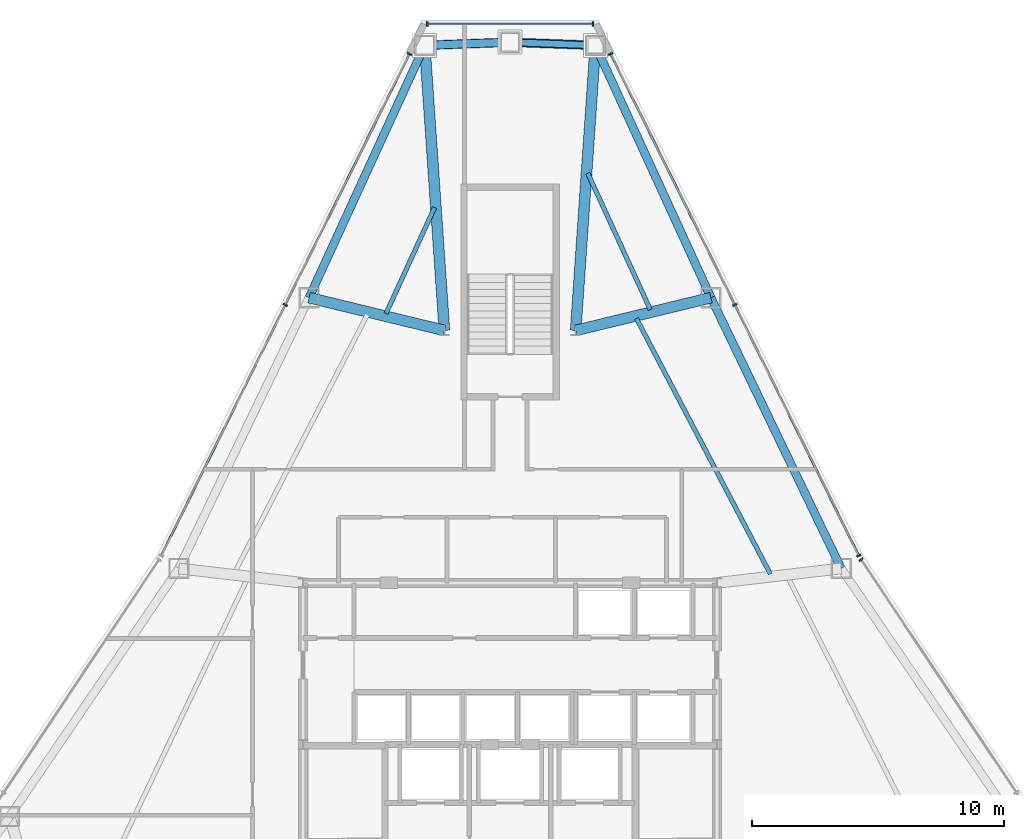
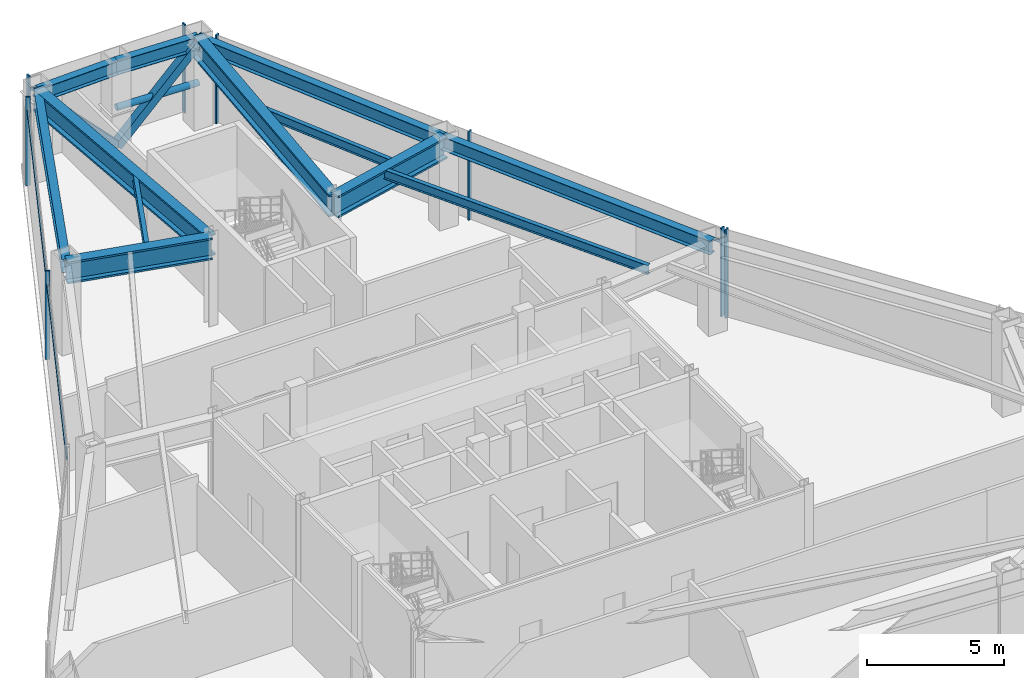
# One storey, part 8 of 13: 14 members, 12 beams, 4 elements without a shape of their own.
"""IFC4 building model written with IfcOpenShell, lengths in metres."""

from ifc_helpers import new_model, si_unit, direction, frame, origin, origin_2d, place, context, subcontext, project, spatial, rectangle, hollow_rectangle, hollow_circle, i_section, extrude, source, transform, mapped, material, layer, layer_set, material_profile, profile_set, type_object, type_shapes, element, aggregate, save


model = new_model("IFC4")

# Units and contexts
model_context = context("Model", 3, precision=1e-05, world=origin(), true_north=direction((0.0, 1.0)))
body_context = subcontext(model_context, "Body", "Model", "MODEL_VIEW")
ifc_project = project(units=[si_unit("LENGTHUNIT", "METRE"), si_unit("AREAUNIT", "SQUARE_METRE"), si_unit("VOLUMEUNIT", "CUBIC_METRE"), si_unit("PLANEANGLEUNIT", "RADIAN"), si_unit("MASSUNIT", "GRAM", prefix="KILO")], contexts=[model_context])

# Site, building, storey
site_placement = place(None, origin())
site = spatial("IfcSite", under=ifc_project, at=site_placement, CompositionType="ELEMENT")
building_placement = place(site_placement, origin())
building = spatial("IfcBuilding", under=site, at=building_placement, Name="Varakhsha Concourse Tower", CompositionType="ELEMENT")
storey_placement = place(building_placement, frame((0.0, 0.0, 200.699951171875)))
storey = spatial("IfcBuildingStorey", under=building, at=storey_placement, Name="L57", CompositionType="ELEMENT", Elevation=200.699951171875)

# Beams
ifc_material_1 = material(Name="Structural Steel ASTM A992 Grade 50", Category="steel")
ifc_material_profile_1 = material_profile(ifc_material_1, i_section(OverallWidth=0.177978515625, OverallDepth=0.406982421875, WebThickness=0.008056640625, FlangeThickness=0.012939453125, at=origin_2d()), Name="W16X40")
ifc_profile_set_1 = profile_set([ifc_material_profile_1], Name="Structural Steel ASTM A992 Grade 50")
beam_type_1 = type_object("IfcBeamType", Name="BM-JST-W16X40", PredefinedType="JOIST", material=ifc_profile_set_1)
beam_1_placement = place(storey_placement, frame((37.010986328125, 46.06884765625, 3.74658203125), z_axis=(-0.416474443572, -0.909147423607, 0.0), x_axis=(0.909147423607, -0.416474443572, 0.0)))
element("IfcBeam", 1, at=beam_1_placement, inside=storey, type_object=beam_type_1, Name="BM-TJST-L57-03", PredefinedType="JOIST", context=body_context, shape_type="SweptSolid", body=[
    extrude(i_section(OverallWidth=0.177978515625, OverallDepth=0.406982421875, WebThickness=0.008056640625, FlangeThickness=0.012939453125, at=origin_2d()), origin(), (0.0, 0.0, 1.0), 4.616943359375),
])
beam_2_placement = place(storey_placement, frame((50.31298828125, 31.5498046875, 3.74658203125), z_axis=(-0.464076433606, 0.885795159036, 0.0), x_axis=(-0.885795159036, -0.464076433606, 0.0)))
element("IfcBeam", 2, at=beam_2_placement, inside=storey, type_object=beam_type_1, Name="BM-TJST-L57-17", PredefinedType="JOIST", context=body_context, shape_type="SweptSolid", body=[
    extrude(i_section(OverallWidth=0.177978515625, OverallDepth=0.406982421875, WebThickness=0.008056640625, FlangeThickness=0.012939453125, at=origin_2d()), origin(), (0.0, 0.0, 1.0), 11.4296875),
])
beam_3_placement = place(storey_placement, frame((45.554931640625, 42.02734375, 3.74658203125), z_axis=(-0.416503174313, 0.909134261695, 0.0), x_axis=(-0.909134261695, -0.416503174313, 0.0)))
element("IfcBeam", 3, at=beam_3_placement, inside=storey, type_object=beam_type_1, Name="BM-TJST-L57-18", PredefinedType="JOIST", context=body_context, shape_type="SweptSolid", body=[
    extrude(i_section(OverallWidth=0.177978515625, OverallDepth=0.406982421875, WebThickness=0.008056640625, FlangeThickness=0.012939453125, at=origin_2d()), origin(), (0.0, 0.0, 1.0), 5.93603515625),
])
ifc_material_profile_2 = material_profile(ifc_material_1, i_section(OverallWidth=0.323974609375, OverallDepth=0.611083984375, WebThickness=0.012939453125, FlangeThickness=0.01904296875, at=origin_2d()), Name="W24X104")
ifc_profile_set_2 = profile_set([ifc_material_profile_2], Name="Structural Steel ASTM A992 Grade 50")
beam_type_2 = type_object("IfcBeamType", Name="BM-SPAN-W24X104", PredefinedType="SPANDREL", material=ifc_profile_set_2)
for number, where, z_axis, x_axis, name in (
    (4, (43.3798828125, 52.492919921875, 3.64453125), (-0.999316809987, 0.036958263993, 0.0), (-0.036958263993, -0.999316809987, 0.0), "BM-SPAN-L57-01"),
    (5, (40.0, 52.617919921875, 3.64453125), (-0.999316809987, -0.036958263993, 0.0), (0.036958263993, -0.999316809987, 0.0), "BM-SPAN-L57-02"),
):
    element("IfcBeam", number, at=place(storey_placement, frame(where, z_axis=z_axis, x_axis=x_axis)), inside=storey, type_object=beam_type_2, Name=name, PredefinedType="SPANDREL", context=body_context, shape_type="SweptSolid", body=[
        extrude(i_section(OverallWidth=0.323974609375, OverallDepth=0.611083984375, WebThickness=0.012939453125, FlangeThickness=0.01904296875, at=origin_2d()), origin(), (0.0, 0.0, 1.0), 3.382080078125),
    ])
beam_4_placement = place(storey_placement, frame((36.6201171875, 52.492919921875, 3.64453125), z_axis=(-0.416501760968, -0.909134909192, 0.0), x_axis=(0.909134909192, -0.416501760968, 0.0)))
element("IfcBeam", 6, at=beam_4_placement, inside=storey, type_object=beam_type_2, Name="BM-SPAN-L57-03", PredefinedType="SPANDREL", context=body_context, shape_type="SweptSolid", body=[
    extrude(i_section(OverallWidth=0.323974609375, OverallDepth=0.611083984375, WebThickness=0.012939453125, FlangeThickness=0.01904296875, at=origin_2d()), origin(), (0.0, 0.0, 1.0), 10.992919921875),
])
beam_5_placement = place(storey_placement, frame((53.1181640625, 31.773681640625, 3.64453125), z_axis=(-0.433524483295, 0.901141788169, 0.0), x_axis=(-0.901141788169, -0.433524483295, 0.0)))
element("IfcBeam", 7, at=beam_5_placement, inside=storey, type_object=beam_type_2, Name="BM-SPAN-L57-17", PredefinedType="SPANDREL", context=body_context, shape_type="SweptSolid", body=[
    extrude(i_section(OverallWidth=0.323974609375, OverallDepth=0.611083984375, WebThickness=0.012939453125, FlangeThickness=0.01904296875, at=origin_2d()), origin(), (0.0, 0.0, 1.0), 11.901611328125),
])
beam_6_placement = place(storey_placement, frame((47.95849609375, 42.498779296875, 3.64453125), z_axis=(-0.416501760968, 0.909134909192, 0.0), x_axis=(-0.909134909192, -0.416501760968, 0.0)))
element("IfcBeam", 8, at=beam_6_placement, inside=storey, type_object=beam_type_2, Name="BM-SPAN-L57-18", PredefinedType="SPANDREL", context=body_context, shape_type="SweptSolid", body=[
    extrude(i_section(OverallWidth=0.323974609375, OverallDepth=0.611083984375, WebThickness=0.012939453125, FlangeThickness=0.01904296875, at=origin_2d()), origin(), (0.0, 0.0, 1.0), 10.992919921875),
])
ifc_material_profile_3 = material_profile(ifc_material_1, i_section(OverallWidth=0.427978515625, OverallDepth=0.97509765625, WebThickness=0.050048828125, FlangeThickness=0.0810546875, at=origin_2d()), Name="W36X395")
ifc_profile_set_3 = profile_set([ifc_material_profile_3], Name="Structural Steel ASTM A992 Grade 50")
beam_type_3 = type_object("IfcBeamType", Name="BM-XFER-W36X395", PredefinedType="USERDEFINED", material=ifc_profile_set_3)
for number, where, z_axis, x_axis, name in (
    (9, (42.60009765625, 41.199951171875, 3.462646484375), (0.068886472468, 0.997624505468, 0.0), (-0.997624505468, 0.068886472468, 0.0), "L57 Radial Floor Girder 01"),
    (10, (37.39990234375, 41.199951171875, 3.462646484375), (-0.068886472468, 0.997624505468, 0.0), (-0.997624505468, -0.068886472468, 0.0), "L57 Radial Floor Girder 03"),
):
    element("IfcBeam", number, at=place(storey_placement, frame(where, z_axis=z_axis, x_axis=x_axis)), inside=storey, type_object=beam_type_3, Name=name, ObjectType="GIRDER", PredefinedType="USERDEFINED", context=body_context, shape_type="SweptSolid", body=[
        extrude(i_section(OverallWidth=0.427978515625, OverallDepth=0.97509765625, WebThickness=0.050048828125, FlangeThickness=0.0810546875, at=origin_2d()), origin(), (0.0, 0.0, 1.0), 11.31982421875),
    ])
for number, where, z_axis, x_axis, name in (
    (11, (37.39990234375, 41.199951171875, 3.462646484375), (-0.971857478812, 0.235569609408, 0.0), (-0.235569609408, -0.971857478812, 0.0), "L57 Radial Floor Girder 04"),
    (12, (42.60009765625, 41.199951171875, 3.462646484375), (0.971857478812, 0.235569609408, 0.0), (-0.235569609408, 0.971857478812, 0.0), "L57 Radial Floor Girder 18"),
):
    element("IfcBeam", number, at=place(storey_placement, frame(where, z_axis=z_axis, x_axis=x_axis)), inside=storey, type_object=beam_type_3, Name=name, ObjectType="GIRDER", PredefinedType="USERDEFINED", context=body_context, shape_type="SweptSolid", body=[
        extrude(i_section(OverallWidth=0.427978515625, OverallDepth=0.97509765625, WebThickness=0.050048828125, FlangeThickness=0.0810546875, at=origin_2d()), origin(), (0.0, 0.0, 1.0), 5.513671875),
    ])

# Members
ifc_material_2 = material(Name="Structural Steel ASTM A500 Grade C", Category="steel")
ifc_material_profile_4 = material_profile(ifc_material_2, hollow_rectangle(XDim=0.35009765625, YDim=0.35009765625, WallThickness=0.01611328125, at=origin_2d()), Name="HSS 350x350x16")
ifc_profile_set_4 = profile_set([ifc_material_profile_4], Name="Structural Steel ASTM A500 Grade C")
member_type_1 = type_object("IfcMemberType", Name="MB-TUBE-HSS350", PredefinedType="BRACE", material=ifc_profile_set_4)
shared_shape_1 = source(origin(), body_context, "Body", "SweptSolid", [
    extrude(hollow_rectangle(XDim=0.35009765625, YDim=0.35009765625, WallThickness=0.01611328125, at=origin_2d()), origin(), (0.0, 0.0, 1.0), 4.888916015625),
])
type_shapes(member_type_1, [shared_shape_1])
for number, where, z_axis, x_axis, name in (
    (13, (40.0, 52.617919921875, 0.1201171875), (0.691352609052, -0.025568660491, 0.722064964915), (0.036958263993, 0.999316809987, 0.0), "L57 Wind-Corner Tube Brace B01"),
    (14, (40.0, 52.617919921875, 0.1201171875), (-0.691352609052, -0.025568660491, 0.722064964915), (0.036958263993, -0.999316809987, 0.0), "L57 Wind-Corner Tube Brace B02"),
):
    element("IfcMember", number, at=place(storey_placement, frame(where, z_axis=z_axis, x_axis=x_axis)), inside=storey, type_object=member_type_1, Name=name, PredefinedType="BRACE", context=body_context, shape_type="MappedRepresentation", body=[
        mapped(shared_shape_1, transform((0.0, 0.0, 0.0), scale=1.0)),
    ])
ifc_material_profile_5 = material_profile(ifc_material_2, hollow_circle(Radius=0.136474609375, WallThickness=0.011962890625, at=origin_2d()), Name="CHS 273x12")
ifc_profile_set_5 = profile_set([ifc_material_profile_5], Name="Structural Steel ASTM A500 Grade C")
member_type_2 = type_object("IfcMemberType", Name="MB-WIND-CHS273", PredefinedType="COLLAR", material=ifc_profile_set_5)
shared_shape_2 = source(origin(), body_context, "Body", "SweptSolid", [
    extrude(hollow_circle(Radius=0.136474609375, WallThickness=0.011962890625, at=origin_2d()), origin(), (0.0, 0.0, 1.0), 3.382080078125),
])
type_shapes(member_type_2, [shared_shape_2])
member_1_placement = place(storey_placement, frame((43.3798828125, 52.492919921875, 1.800048828125), z_axis=(-0.999316809987, 0.036958263993, 0.0), x_axis=(-0.036958263993, -0.999316809987, 0.0)))
element("IfcMember", 15, at=member_1_placement, inside=storey, type_object=member_type_2, Name="L57 Wind-Corner Collar Tie 1", PredefinedType="COLLAR", context=body_context, shape_type="MappedRepresentation", body=[
    mapped(shared_shape_2, transform((0.0, 0.0, 0.0), scale=1.0)),
])

# Curtain wall, members
ifc_material_3 = material(Name="Anodised Bronze Architectural Aluminium AA 6063-T6", Category="aluminium")
ifc_layer = layer(ifc_material_3, 0.199951171875, Name="CW-SYS-05")
ifc_layer_set = layer_set([ifc_layer], Name="Anodised Bronze Architectural Aluminium AA 6063-T6")
curtain_wall_type = type_object("IfcCurtainWallType", Name="CW-SYS-05", PredefinedType="NOTDEFINED", material=ifc_layer_set)
curtain_wall_1_placement = place(storey_placement, origin())
curtain_wall_1 = element("IfcCurtainWall", 16, at=curtain_wall_1_placement, inside=storey, type_object=curtain_wall_type, Name="L57 Chamfer Curtain Wall F1", PredefinedType="NOTDEFINED")
ifc_material_profile_6 = material_profile(ifc_material_3, rectangle(XDim=0.06494140625, YDim=0.179931640625, at=origin_2d()), Name="CWM-180X65")
ifc_profile_set_6 = profile_set([ifc_material_profile_6], Name="Anodised Bronze Architectural Aluminium AA 6063-T6")
member_type_3 = type_object("IfcMemberType", Name="CWM-180X65", PredefinedType="MULLION", material=ifc_profile_set_6)
shared_shape_3 = source(origin(), body_context, "Body", "SweptSolid", [
    extrude(rectangle(XDim=0.06494140625, YDim=0.179931640625, at=origin_2d()), origin(), (0.0, 0.0, 1.0), 3.949951171875),
])
type_shapes(member_type_3, [shared_shape_3])
member_2_placement = place(storey_placement, frame((36.719970703125, 53.337890625, 0.0), z_axis=(0.0, 0.0, 1.0), x_axis=(1.0, 0.0, 0.0)))
member_2 = element("IfcMember", 17, at=member_2_placement, type_object=member_type_3, Name="CW-L57-F1 Mullion 00", PredefinedType="MULLION", context=body_context, shape_type="MappedRepresentation", body=[
    mapped(shared_shape_3, transform((0.0, 0.0, 0.0), scale=1.0)),
])
member_3_placement = place(storey_placement, frame((43.280029296875, 53.337890625, 0.0), z_axis=(0.0, 0.0, 1.0), x_axis=(1.0, 0.0, 0.0)))
member_3 = element("IfcMember", 18, at=member_3_placement, type_object=member_type_3, Name="CW-L57-F1 Mullion 01", PredefinedType="MULLION", context=body_context, shape_type="MappedRepresentation", body=[
    mapped(shared_shape_3, transform((0.0, 0.0, 0.0), scale=1.0)),
])

curtain_wall_2_placement = place(storey_placement, origin())
curtain_wall_2 = element("IfcCurtainWall", 19, at=curtain_wall_2_placement, inside=storey, type_object=curtain_wall_type, Name="L57 Crystal Curtain Wall F2", PredefinedType="NOTDEFINED")
member_4_placement = place(storey_placement, frame((31.09912109375, 42.21728515625, 0.0), z_axis=(0.0, 0.0, 1.0), x_axis=(0.443343421923, 0.896351833957, 0.0)))
member_4 = element("IfcMember", 20, at=member_4_placement, type_object=member_type_3, Name="CW-L57-F2 Mullion 01", PredefinedType="MULLION", context=body_context, shape_type="MappedRepresentation", body=[
    mapped(shared_shape_3, transform((0.0, 0.0, 0.0), scale=1.0)),
])
member_5_placement = place(storey_placement, frame((36.013916015625, 52.154052734375, 0.0), z_axis=(0.0, 0.0, 1.0), x_axis=(0.443343421923, 0.896351833957, 0.0)))
member_5 = element("IfcMember", 21, at=member_5_placement, type_object=member_type_3, Name="CW-L57-F2 Mullion 02", PredefinedType="MULLION", context=body_context, shape_type="MappedRepresentation", body=[
    mapped(shared_shape_3, transform((0.0, 0.0, 0.0), scale=1.0)),
])

# Curtain wall, member
curtain_wall_3_placement = place(storey_placement, origin())
curtain_wall_3 = element("IfcCurtainWall", 22, at=curtain_wall_3_placement, inside=storey, type_object=curtain_wall_type, Name="L57 Crystal Curtain Wall F8", PredefinedType="NOTDEFINED")
member_6_placement = place(storey_placement, frame((53.90576171875, 32.12451171875, 0.0), z_axis=(0.0, 0.0, 1.0), x_axis=(0.554591747974, -0.832122582964, 0.0)))
member_6 = element("IfcMember", 23, at=member_6_placement, type_object=member_type_3, Name="CW-L57-F8 Mullion 00", PredefinedType="MULLION", context=body_context, shape_type="MappedRepresentation", body=[
    mapped(shared_shape_3, transform((0.0, 0.0, 0.0), scale=1.0)),
])
aggregate(curtain_wall_3, [member_6])

# Curtain wall, members
curtain_wall_4_placement = place(storey_placement, origin())
curtain_wall_4 = element("IfcCurtainWall", 24, at=curtain_wall_4_placement, inside=storey, type_object=curtain_wall_type, Name="L57 Crystal Curtain Wall F9", PredefinedType="NOTDEFINED")
member_7_placement = place(storey_placement, frame((43.986083984375, 52.154052734375, 0.0), z_axis=(0.0, 0.0, 1.0), x_axis=(0.443343421923, -0.896351833957, 0.0)))
member_7 = element("IfcMember", 25, at=member_7_placement, type_object=member_type_3, Name="CW-L57-F9 Mullion 00", PredefinedType="MULLION", context=body_context, shape_type="MappedRepresentation", body=[
    mapped(shared_shape_3, transform((0.0, 0.0, 0.0), scale=1.0)),
])
member_8_placement = place(storey_placement, frame((48.90087890625, 42.21728515625, 0.0), z_axis=(0.0, 0.0, 1.0), x_axis=(0.443343421923, -0.896351833957, 0.0)))
member_8 = element("IfcMember", 26, at=member_8_placement, type_object=member_type_3, Name="CW-L57-F9 Mullion 01", PredefinedType="MULLION", context=body_context, shape_type="MappedRepresentation", body=[
    mapped(shared_shape_3, transform((0.0, 0.0, 0.0), scale=1.0)),
])
member_9_placement = place(storey_placement, frame((53.815673828125, 32.280517578125, 0.0), z_axis=(0.0, 0.0, 1.0), x_axis=(0.443343421923, -0.896351833957, 0.0)))
member_9 = element("IfcMember", 27, at=member_9_placement, type_object=member_type_3, Name="CW-L57-F9 Mullion 02", PredefinedType="MULLION", context=body_context, shape_type="MappedRepresentation", body=[
    mapped(shared_shape_3, transform((0.0, 0.0, 0.0), scale=1.0)),
])

# Member
ifc_material_profile_7 = material_profile(ifc_material_3, rectangle(XDim=0.06005859375, YDim=0.139892578125, at=origin_2d()), Name="CWT-140X60")
ifc_profile_set_7 = profile_set([ifc_material_profile_7], Name="Anodised Bronze Architectural Aluminium AA 6063-T6")
member_type_4 = type_object("IfcMemberType", Name="CWT-140X60", PredefinedType="USERDEFINED", material=ifc_profile_set_7)
shared_shape_4 = source(origin(), body_context, "Body", "SweptSolid", [
    extrude(rectangle(XDim=0.06005859375, YDim=0.139892578125, at=origin_2d()), origin(), (0.0, 0.0, 1.0), 6.56005859375),
])
member_10_placement = place(storey_placement, frame((36.719970703125, 53.337890625, 3.300048828125), z_axis=(1.0, 0.0, 0.0), x_axis=(0.0, 1.0, 0.0)))
member_10 = element("IfcMember", 28, at=member_10_placement, type_object=member_type_4, Name="CW-L57-F1 Transom 01", ObjectType="TRANSOM", PredefinedType="USERDEFINED", context=body_context, shape_type="MappedRepresentation", body=[
    mapped(shared_shape_4, transform((0.0, 0.0, 0.0), scale=1.0)),
])

aggregate(curtain_wall_1, [member_2, member_3, member_10])

shared_shape_5 = source(origin(), body_context, "Body", "SweptSolid", [
    extrude(rectangle(XDim=0.06005859375, YDim=0.139892578125, at=origin_2d()), origin(), (0.0, 0.0, 1.0), 22.171630859375),
])
type_shapes(member_type_4, [shared_shape_4, shared_shape_5])
member_11_placement = place(storey_placement, frame((26.184326171875, 32.280517578125, 3.300048828125), z_axis=(0.443342201062, 0.896352437804, 0.0), x_axis=(-0.896352437804, 0.443342201062, 0.0)))
member_11 = element("IfcMember", 29, at=member_11_placement, type_object=member_type_4, Name="CW-L57-F2 Transom 01", ObjectType="TRANSOM", PredefinedType="USERDEFINED", context=body_context, shape_type="MappedRepresentation", body=[
    mapped(shared_shape_5, transform((0.0, 0.0, 0.0), scale=1.0)),
])

aggregate(curtain_wall_2, [member_4, member_5, member_11])

member_12_placement = place(storey_placement, frame((43.986083984375, 52.154052734375, 3.300048828125), z_axis=(0.443342201062, -0.896352437804, 0.0), x_axis=(0.896352437804, 0.443342201062, 0.0)))
member_12 = element("IfcMember", 30, at=member_12_placement, type_object=member_type_4, Name="CW-L57-F9 Transom 01", ObjectType="TRANSOM", PredefinedType="USERDEFINED", context=body_context, shape_type="MappedRepresentation", body=[
    mapped(shared_shape_5, transform((0.0, 0.0, 0.0), scale=1.0)),
])

aggregate(curtain_wall_4, [member_7, member_8, member_9, member_12])

save(model, "model.ifc")
